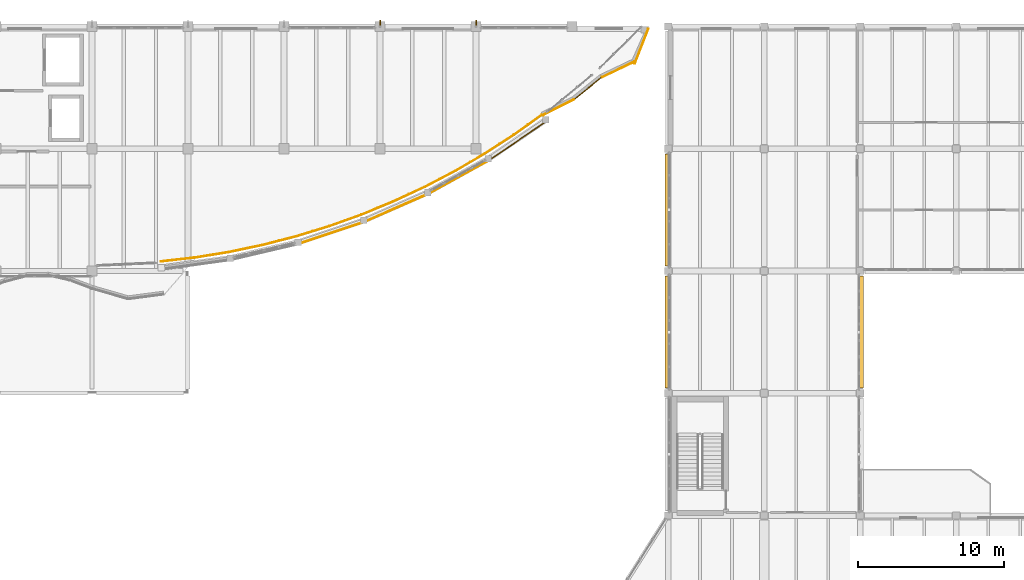
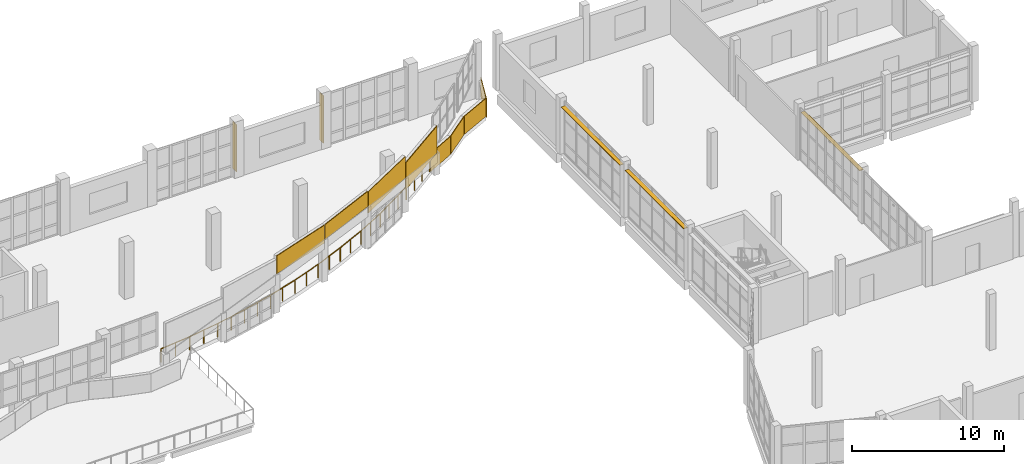
# One storey, part 82 of 83: 8 coverings, 5 shading devices, 1 railing.
"""IFC4 building model written with IfcOpenShell, lengths in metres."""

from ifc_helpers import new_model, si_unit, direction, frame, origin, origin_2d, place, context, subcontext, project, spatial, rectangle, circle, extrude, material, layer, layer_set, type_object, element, save


model = new_model("IFC4")

# Units and contexts
model_context = context("Model", 3, precision=1e-05, world=origin(), true_north=direction((0.0, 1.0)))
body_context = subcontext(model_context, "Body", "Model", "MODEL_VIEW")
ifc_project = project(units=[si_unit("LENGTHUNIT", "METRE"), si_unit("AREAUNIT", "SQUARE_METRE"), si_unit("VOLUMEUNIT", "CUBIC_METRE"), si_unit("PLANEANGLEUNIT", "RADIAN"), si_unit("MASSUNIT", "GRAM", prefix="KILO")], contexts=[model_context])

# Site, building, storey
site_placement = place(None, origin())
site = spatial("IfcSite", under=ifc_project, at=site_placement, CompositionType="ELEMENT")
building_placement = place(site_placement, origin())
building = spatial("IfcBuilding", under=site, at=building_placement, Name="Qaldarim Faculty of Natural and Applied Sciences", CompositionType="ELEMENT")
storey_placement = place(building_placement, frame((0.0, 0.0, 5.39990234375)))
storey = spatial("IfcBuildingStorey", under=building, at=storey_placement, Name="L01", CompositionType="ELEMENT", Elevation=5.39990234375)

# Railing
ifc_material_1 = material(Name="Architectural stainless steel 316", Category="steel")
railing_type = type_object("IfcRailingType", Name="GuardBalustrade-1100", PredefinedType="BALUSTRADE", material=ifc_material_1)
railing_placement = place(storey_placement, frame((116.93505859375, 101.449951171875, 0.0)))
element("IfcRailing", 1, at=railing_placement, inside=storey, type_object=railing_type, Name="Safety guard balustrade GRD-PORTAL-MEZ-L01", PredefinedType="BALUSTRADE", context=body_context, shape_type="SweptSolid", body=[
    extrude(circle(Radius=0.02392578125, at=origin_2d()), frame((0.00390625, 0.00048828125, 1.076171875), z_axis=(0.993462619806, 0.114157886494, 0.0), x_axis=(-0.114157886494, 0.993462619806, 0.0)), (0.0, 0.0, 1.0), 2.357421875),
    extrude(circle(Radius=0.02392578125, at=origin_2d()), frame((2.353759765625, 0.270751953125, 1.076171875), z_axis=(0.987061903845, 0.160339633207, 0.0), x_axis=(-0.160339633207, 0.987061903845, 0.0)), (0.0, 0.0, 1.0), 2.36279296875),
    extrude(circle(Radius=0.02392578125, at=origin_2d()), frame((4.69384765625, 0.65087890625, 1.076171875), z_axis=(0.978852543342, 0.204567099977, 0.0), x_axis=(-0.204567099977, 0.978852543342, 0.0)), (0.0, 0.0, 1.0), 2.3623046875),
    extrude(circle(Radius=0.02392578125, at=origin_2d()), frame((7.013916015625, 1.135986328125, 1.076171875), z_axis=(0.967997824701, 0.250958584978, 0.0), x_axis=(-0.250958584978, 0.967997824701, 0.0)), (0.0, 0.0, 1.0), 2.36279296875),
    extrude(circle(Radius=0.02392578125, at=origin_2d()), frame((9.308837890625, 1.731201171875, 1.076171875), z_axis=(0.95599487711, 0.29338335832, 0.0), x_axis=(-0.29338335832, 0.95599487711, 0.0)), (0.0, 0.0, 1.0), 2.361083984375),
    extrude(circle(Radius=0.02392578125, at=origin_2d()), frame((11.573486328125, 2.426513671875, 1.076171875), z_axis=(0.941267742717, 0.337661126753, 0.0), x_axis=(-0.337661126753, 0.941267742717, 0.0)), (0.0, 0.0, 1.0), 2.361328125),
    extrude(circle(Radius=0.02392578125, at=origin_2d()), frame((13.8037109375, 3.2265625, 1.076171875), z_axis=(0.924188701487, 0.381936177972, 0.0), x_axis=(-0.381936177972, 0.924188701487, 0.0)), (0.0, 0.0, 1.0), 2.361572265625),
    extrude(circle(Radius=0.02392578125, at=origin_2d()), frame((15.99365234375, 4.1318359375, 1.076171875), z_axis=(0.906713786508, 0.421746498925, 0.0), x_axis=(-0.421746498925, 0.906713786508, 0.0)), (0.0, 0.0, 1.0), 2.363037109375),
    extrude(circle(Radius=0.02392578125, at=origin_2d()), frame((18.1435546875, 5.132080078125, 1.076171875), z_axis=(0.885865799683, 0.463941574933, 0.0), x_axis=(-0.463941574933, 0.885865799683, 0.0)), (0.0, 0.0, 1.0), 2.36279296875),
    extrude(circle(Radius=0.02392578125, at=origin_2d()), frame((20.243408203125, 6.23193359375, 1.076171875), z_axis=(0.863374859925, 0.504563030006, 0.0), x_axis=(-0.504563030006, 0.863374859925, 0.0)), (0.0, 0.0, 1.0), 2.360595703125),
    extrude(circle(Radius=0.02392578125, at=origin_2d()), frame((22.288330078125, 7.42724609375, 1.076171875), z_axis=(0.839108608569, 0.543963917026, 0.0), x_axis=(-0.543963917026, 0.839108608569, 0.0)), (0.0, 0.0, 1.0), 2.363525390625),
    extrude(circle(Radius=0.02392578125, at=origin_2d()), frame((24.278076171875, 8.717529296875, 1.076171875), z_axis=(0.814435972024, 0.580253433832, 0.0), x_axis=(-0.580253433832, 0.814435972024, 0.0)), (0.0, 0.0, 1.0), 2.361572265625),
    extrude(circle(Radius=0.02099609375, at=origin_2d()), origin(), (0.0, 0.0, 1.0), 1.052001953125),
    extrude(circle(Radius=0.02099609375, at=origin_2d()), frame((1.1748046875, 0.135009765625, 0.0)), (0.0, 0.0, 1.0), 1.052001953125),
    extrude(circle(Radius=0.02099609375, at=origin_2d()), frame((2.349853515625, 0.27001953125, 0.0)), (0.0, 0.0, 1.0), 1.052001953125),
    extrude(circle(Radius=0.02099609375, at=origin_2d()), frame((3.52001953125, 0.4599609375, 0.0)), (0.0, 0.0, 1.0), 1.052001953125),
    extrude(circle(Radius=0.02099609375, at=origin_2d()), frame((4.68994140625, 0.650146484375, 0.0)), (0.0, 0.0, 1.0), 1.052001953125),
    extrude(circle(Radius=0.02099609375, at=origin_2d()), frame((5.85009765625, 0.892578125, 0.0)), (0.0, 0.0, 1.0), 1.052001953125),
    extrude(circle(Radius=0.02099609375, at=origin_2d()), frame((7.010009765625, 1.135009765625, 0.0)), (0.0, 0.0, 1.0), 1.052001953125),
    extrude(circle(Radius=0.02099609375, at=origin_2d()), frame((8.157470703125, 1.4326171875, 0.0)), (0.0, 0.0, 1.0), 1.052001953125),
    extrude(circle(Radius=0.02099609375, at=origin_2d()), frame((9.304931640625, 1.72998046875, 0.0)), (0.0, 0.0, 1.0), 1.052001953125),
    extrude(circle(Radius=0.02099609375, at=origin_2d()), frame((10.4375, 2.07763671875, 0.0)), (0.0, 0.0, 1.0), 1.052001953125),
    extrude(circle(Radius=0.02099609375, at=origin_2d()), frame((11.56982421875, 2.425048828125, 0.0)), (0.0, 0.0, 1.0), 1.052001953125),
    extrude(circle(Radius=0.02099609375, at=origin_2d()), frame((12.68505859375, 2.8251953125, 0.0)), (0.0, 0.0, 1.0), 1.052001953125),
    extrude(circle(Radius=0.02099609375, at=origin_2d()), frame((13.800048828125, 3.22509765625, 0.0)), (0.0, 0.0, 1.0), 1.052001953125),
    extrude(circle(Radius=0.02099609375, at=origin_2d()), frame((14.89501953125, 3.677734375, 0.0)), (0.0, 0.0, 1.0), 1.052001953125),
    extrude(circle(Radius=0.02099609375, at=origin_2d()), frame((15.989990234375, 4.130126953125, 0.0)), (0.0, 0.0, 1.0), 1.052001953125),
    extrude(circle(Radius=0.02099609375, at=origin_2d()), frame((17.06494140625, 4.630126953125, 0.0)), (0.0, 0.0, 1.0), 1.052001953125),
    extrude(circle(Radius=0.02099609375, at=origin_2d()), frame((18.139892578125, 5.130126953125, 0.0)), (0.0, 0.0, 1.0), 1.052001953125),
    extrude(circle(Radius=0.02099609375, at=origin_2d()), frame((19.18994140625, 5.68017578125, 0.0)), (0.0, 0.0, 1.0), 1.052001953125),
    extrude(circle(Radius=0.02099609375, at=origin_2d()), frame((20.239990234375, 6.22998046875, 0.0)), (0.0, 0.0, 1.0), 1.052001953125),
    extrude(circle(Radius=0.02099609375, at=origin_2d()), frame((21.262451171875, 6.82763671875, 0.0)), (0.0, 0.0, 1.0), 1.052001953125),
    extrude(circle(Radius=0.02099609375, at=origin_2d()), frame((22.284912109375, 7.425048828125, 0.0)), (0.0, 0.0, 1.0), 1.052001953125),
    extrude(circle(Radius=0.02099609375, at=origin_2d()), frame((23.27978515625, 8.070068359375, 0.0)), (0.0, 0.0, 1.0), 1.052001953125),
    extrude(circle(Radius=0.02099609375, at=origin_2d()), frame((24.27490234375, 8.715087890625, 0.0)), (0.0, 0.0, 1.0), 1.052001953125),
    extrude(circle(Radius=0.02099609375, at=origin_2d()), frame((25.23974609375, 9.402587890625, 0.0)), (0.0, 0.0, 1.0), 1.052001953125),
    extrude(circle(Radius=0.02099609375, at=origin_2d()), frame((26.204833984375, 10.090087890625, 0.0)), (0.0, 0.0, 1.0), 1.052001953125),
])

# Coverings
ifc_material_2 = material(Name="White architectural precast concrete C40/50", Category="concrete")
ifc_layer_1 = layer(ifc_material_2, 0.06005859375)
ifc_layer_set_1 = layer_set([ifc_layer_1], Name="White architectural precast concrete C40/50")
covering_type = type_object("IfcCoveringType", Name="LimestoneSpandrelCladding-60", PredefinedType="CLADDING", material=ifc_layer_set_1)
covering_1_placement = place(storey_placement, frame((144.2548828125, 112.050048828125, 0.0), z_axis=(0.0, 0.0, 1.0), x_axis=(0.893190948146, 0.449677584664, 0.0)))
element("IfcCovering", 2, at=covering_1_placement, inside=storey, type_object=covering_type, Name="White limestone wave band fascia L01 chord 68", PredefinedType="CLADDING", context=body_context, shape_type="SweptSolid", body=[
    extrude(rectangle(XDim=2.39501953125, YDim=0.06005859375, at=origin_2d()), origin(), (0.0, 0.0, 1.0), 1.449951171875),
])
covering_2_placement = place(storey_placement, frame((146.27490234375, 113.344970703125, 0.0), z_axis=(0.0, 0.0, 1.0), x_axis=(0.780059243489, 0.625705662949, 0.0)))
element("IfcCovering", 3, at=covering_2_placement, inside=storey, type_object=covering_type, Name="White limestone wave band fascia L01 chord 69", PredefinedType="CLADDING", context=body_context, shape_type="SweptSolid", body=[
    extrude(rectangle(XDim=2.35498046875, YDim=0.06005859375, at=origin_2d()), origin(), (0.0, 0.0, 1.0), 1.449951171875),
])
covering_3_placement = place(storey_placement, frame((148.364990234375, 114.64501953125, 0.0), z_axis=(0.0, 0.0, 1.0), x_axis=(0.902532680761, 0.43062136519, 0.0)))
element("IfcCovering", 4, at=covering_3_placement, inside=storey, type_object=covering_type, Name="White limestone wave band fascia L01 chord 70", PredefinedType="CLADDING", context=body_context, shape_type="SweptSolid", body=[
    extrude(rectangle(XDim=2.5048828125, YDim=0.06005859375, at=origin_2d()), origin(), (0.0, 0.0, 1.0), 1.449951171875),
])
covering_4_placement = place(storey_placement, frame((149.969970703125, 116.2451171875, 0.0), z_axis=(0.0, 0.0, 1.0), x_axis=(0.363462615155, 0.931608784515, 0.0)))
element("IfcCovering", 5, at=covering_4_placement, inside=storey, type_object=covering_type, Name="White limestone wave band fascia L01 chord 71", PredefinedType="CLADDING", context=body_context, shape_type="SweptSolid", body=[
    extrude(rectangle(XDim=2.574951171875, YDim=0.06005859375, at=origin_2d()), origin(), (0.0, 0.0, 1.0), 1.449951171875),
])
covering_5_placement = place(storey_placement, frame((128.659912109375, 103.4150390625, 3.050048828125), z_axis=(0.0, 0.0, 1.0), x_axis=(0.948683015593, 0.316228613389, 0.0)))
element("IfcCovering", 6, at=covering_5_placement, inside=storey, type_object=covering_type, Name="Lifted white limestone portal arch fascia 03", PredefinedType="CLADDING", context=body_context, shape_type="SweptSolid", body=[
    extrude(rectangle(XDim=4.735107421875, YDim=0.06005859375, at=origin_2d()), origin(), (0.0, 0.0, 1.0), 1.43994140625),
])
covering_6_placement = place(storey_placement, frame((133.1201171875, 105.135009765625, 3.27734375), z_axis=(0.0, 0.0, 1.0), x_axis=(0.915697666414, 0.40186786849, 0.0)))
element("IfcCovering", 7, at=covering_6_placement, inside=storey, type_object=covering_type, Name="Lifted white limestone portal arch fascia 04", PredefinedType="CLADDING", context=body_context, shape_type="SweptSolid", body=[
    extrude(rectangle(XDim=4.739990234375, YDim=0.06005859375, at=origin_2d()), origin(), (0.0, 0.0, 1.0), 1.215087890625),
])
covering_7_placement = place(storey_placement, frame((137.409912109375, 107.2548828125, 2.70751953125), z_axis=(0.0, 0.0, 1.0), x_axis=(0.874797340395, 0.484489022824, 0.0)))
element("IfcCovering", 8, at=covering_7_placement, inside=storey, type_object=covering_type, Name="Lifted white limestone portal arch fascia 05", PredefinedType="CLADDING", context=body_context, shape_type="SweptSolid", body=[
    extrude(rectangle(XDim=4.739990234375, YDim=0.06005859375, at=origin_2d()), origin(), (0.0, 0.0, 1.0), 1.715087890625),
])
covering_8_placement = place(storey_placement, frame((141.47998046875, 109.760009765625, 1.7001953125), z_axis=(0.0, 0.0, 1.0), x_axis=(0.827021708506, 0.562169986445, 0.0)))
element("IfcCovering", 9, at=covering_8_placement, inside=storey, type_object=covering_type, Name="Lifted white limestone portal arch fascia 06", PredefinedType="CLADDING", context=body_context, shape_type="SweptSolid", body=[
    extrude(rectangle(XDim=4.735107421875, YDim=0.06005859375, at=origin_2d()), origin(), (0.0, 0.0, 1.0), 2.159912109375),
])

# Shading devices
ifc_material_3 = material(Name="Champagne anodised aluminium AW-6063", Category="aluminium")
ifc_layer_2 = layer(ifc_material_3, 0.050048828125)
ifc_layer_set_2 = layer_set([ifc_layer_2], Name="Champagne anodised aluminium AW-6063")
shading_device_type_1 = type_object("IfcShadingDeviceType", Name="SolarLouvre-ALU300x50", PredefinedType="JALOUSIE", material=ifc_layer_set_2)
for number, where, z_axis, x_axis, name in (
    (10, (151.72998046875, 96.60009765625, 3.8251953125), (0.0, 0.0, 1.0), (0.0, 1.0, 0.0), "Horizontal solar louvre L01 W X24Y12"),
    (11, (151.72998046875, 105.0, 3.8251953125), (0.0, 0.0, 1.0), (0.0, 1.0, 0.0), "Horizontal solar louvre L01 W X24Y13"),
    (12, (165.070068359375, 96.60009765625, 3.8251953125), (0.0, 0.0, 1.0), (0.0, 1.0, 0.0), "Horizontal solar louvre L01 E X25Y12"),
):
    element("IfcShadingDevice", number, at=place(storey_placement, frame(where, z_axis=z_axis, x_axis=x_axis)), inside=storey, type_object=shading_device_type_1, Name=name, PredefinedType="JALOUSIE", context=body_context, shape_type="SweptSolid", body=[
        extrude(rectangle(XDim=7.7099609375, YDim=0.300048828125, at=origin_2d()), origin(), (0.0, 0.0, 1.0), 0.050048828125),
    ])
ifc_layer_3 = layer(ifc_material_3, 0.06005859375)
ifc_layer_set_3 = layer_set([ifc_layer_3], Name="Champagne anodised aluminium AW-6063")
shading_device_type_2 = type_object("IfcShadingDeviceType", Name="VerticalSunFin-ALU450x60", PredefinedType="SHUTTER", material=ifc_layer_set_3)
for number, where, z_axis, x_axis, name in (
    (13, (132.0, 117.824951171875, 0.2001953125), (0.0, 0.0, 1.0), (1.0, 0.0, 0.0), "North pier fin FIN-V4N-L01-X21"),
    (14, (138.60009765625, 117.824951171875, 0.2001953125), (0.0, 0.0, 1.0), (1.0, 0.0, 0.0), "North pier fin FIN-V4N-L01-X22"),
):
    element("IfcShadingDevice", number, at=place(storey_placement, frame(where, z_axis=z_axis, x_axis=x_axis)), inside=storey, type_object=shading_device_type_2, Name=name, PredefinedType="SHUTTER", context=body_context, shape_type="SweptSolid", body=[
        extrude(rectangle(XDim=0.06005859375, YDim=0.449951171875, at=origin_2d()), origin(), (0.0, 0.0, 1.0), 3.800048828125),
    ])

save(model, "model.ifc")
